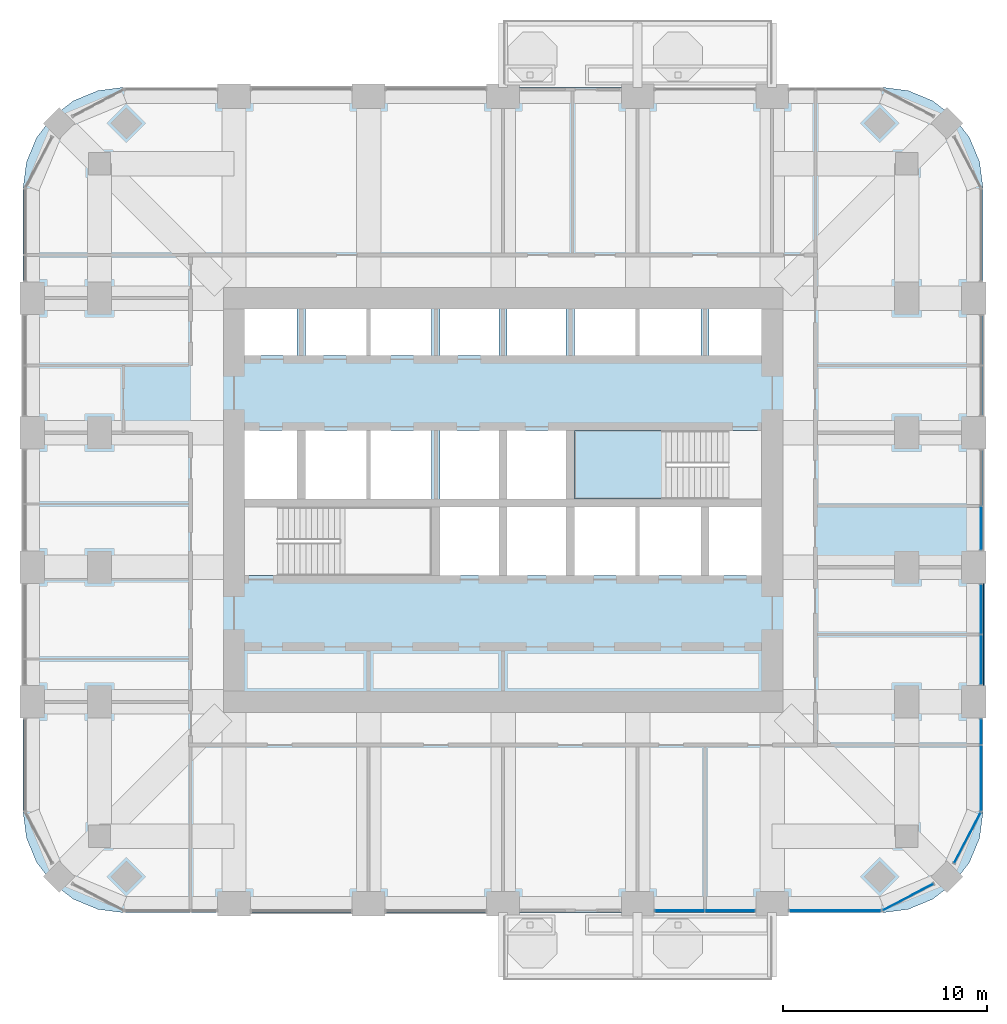
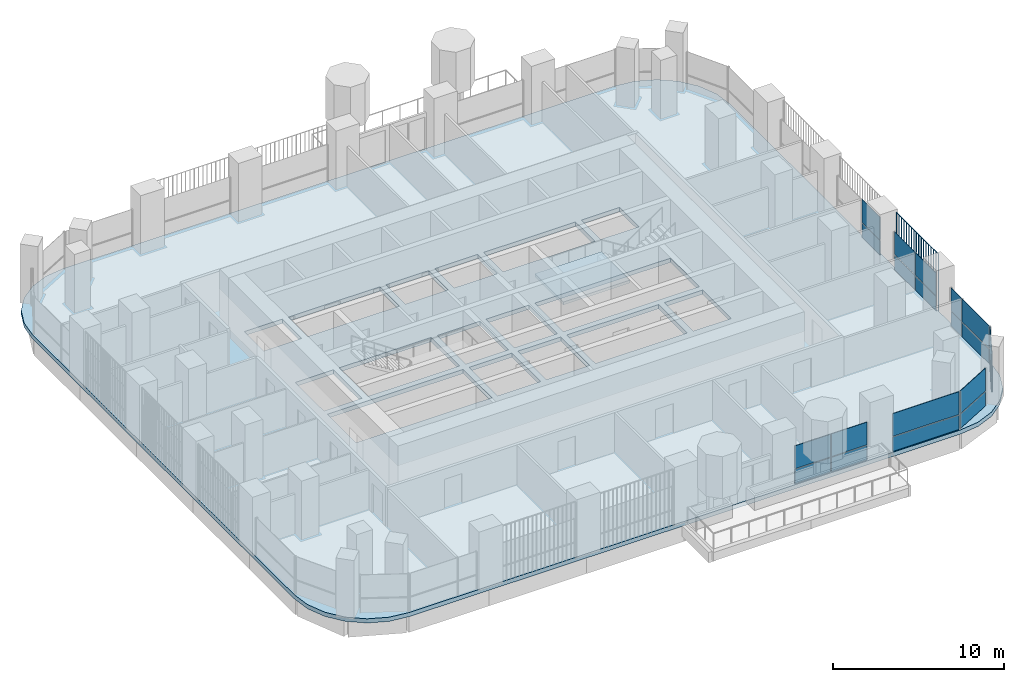
# One storey, part 10 of 20: 21 plates, 2 slabs, 8 elements without a shape of their own.
"""IFC4 building model written with IfcOpenShell, lengths in metres."""

from ifc_helpers import new_model, si_unit, direction, frame, origin, origin_2d, place, context, subcontext, project, spatial, polyline, rectangle, outline, extrude, material, layer, layer_set, type_object, element, aggregate, save


model = new_model("IFC4")

# Units and contexts
model_context = context("Model", 3, precision=1e-05, world=origin(), true_north=direction((0.0, 1.0)))
body_context = subcontext(model_context, "Body", "Model", "MODEL_VIEW")
ifc_project = project(units=[si_unit("LENGTHUNIT", "METRE"), si_unit("AREAUNIT", "SQUARE_METRE"), si_unit("VOLUMEUNIT", "CUBIC_METRE"), si_unit("PLANEANGLEUNIT", "RADIAN"), si_unit("MASSUNIT", "GRAM", prefix="KILO")], contexts=[model_context])

# Site, building, storey
site_placement = place(None, origin())
site = spatial("IfcSite", under=ifc_project, at=site_placement, CompositionType="ELEMENT")
building_placement = place(site_placement, origin())
building = spatial("IfcBuilding", under=site, at=building_placement, Name="Cobogo Forest Laboratory Tower", CompositionType="ELEMENT")
storey_placement = place(building_placement, frame((0.0, 0.0, 189.300048828125)))
storey = spatial("IfcBuildingStorey", under=building, at=storey_placement, Name="L43", CompositionType="ELEMENT", Elevation=189.300048828125)

# Slab
ifc_material_1 = material(Name="Concrete HA-40 (C40/50)", Category="concrete")
ifc_layer_1 = layer(ifc_material_1, 0.300048828125)
ifc_layer_set_1 = layer_set([ifc_layer_1], Name="Floor slab 300")
slab_type_1 = type_object("IfcSlabType", Name="Floor slab 300", PredefinedType="FLOOR", material=ifc_layer_set_1)
slab_1_placement = place(storey_placement, frame((0.0, 0.0, -0.300048828125)))
element("IfcSlab", 1, at=slab_1_placement, inside=storey, type_object=slab_type_1, Name="L43 floor slab", PredefinedType="FLOOR", context=body_context, shape_type="SweptSolid", body=[
    extrude(outline(polyline([(45.0, 2.85009765625), (46.28125, 3.0185546875), (47.47509765625, 3.51318359375), (48.500244140625, 4.2998046875), (49.286865234375, 5.324951171875), (49.78125, 6.518798828125), (49.949951171875, 7.800048828125), (49.949951171875, 38.39990234375), (49.78125, 39.68115234375), (49.286865234375, 40.875), (48.500244140625, 41.900146484375), (47.47509765625, 42.686767578125), (46.28125, 43.181396484375), (45.0, 43.35009765625), (7.800048828125, 43.35009765625), (6.518798828125, 43.181396484375), (5.324951171875, 42.686767578125), (4.2998046875, 41.900146484375), (3.51318359375, 40.875), (3.0185546875, 39.68115234375), (2.85009765625, 38.39990234375), (2.85009765625, 7.800048828125), (3.0185546875, 6.518798828125), (3.51318359375, 5.324951171875), (4.2998046875, 4.2998046875), (5.324951171875, 3.51318359375), (6.518798828125, 3.0185546875), (7.800048828125, 2.85009765625), (45.0, 2.85009765625)]), holes=[polyline([(22.89990234375, 19.39990234375), (13.72509765625, 19.39990234375), (13.72509765625, 22.75), (22.89990234375, 22.75), (22.89990234375, 19.39990234375)]), polyline([(26.199951171875, 19.39990234375), (23.300048828125, 19.39990234375), (23.300048828125, 22.75), (26.199951171875, 22.75), (26.199951171875, 19.39990234375)]), polyline([(29.5, 19.39990234375), (26.60009765625, 19.39990234375), (26.60009765625, 22.75), (29.5, 22.75), (29.5, 19.39990234375)]), polyline([(36.10009765625, 22.75), (36.10009765625, 19.39990234375), (29.89990234375, 19.39990234375), (29.89990234375, 22.75), (36.10009765625, 22.75)]), polyline([(36.5, 19.39990234375), (36.5, 22.75), (39.074951171875, 22.75), (39.074951171875, 19.39990234375), (36.5, 19.39990234375)]), polyline([(16.300048828125, 23.14990234375), (13.72509765625, 23.14990234375), (13.72509765625, 26.5), (16.300048828125, 26.5), (16.300048828125, 23.14990234375)]), polyline([(22.89990234375, 26.5), (22.89990234375, 23.14990234375), (16.699951171875, 23.14990234375), (16.699951171875, 26.5), (22.89990234375, 26.5)]), polyline([(26.199951171875, 23.14990234375), (23.300048828125, 23.14990234375), (23.300048828125, 26.5), (26.199951171875, 26.5), (26.199951171875, 23.14990234375)]), polyline([(26.60009765625, 23.14990234375), (26.60009765625, 26.5), (29.5, 26.5), (29.5, 23.14990234375), (26.60009765625, 23.14990234375)]), polyline([(39.074951171875, 23.14990234375), (29.89990234375, 23.14990234375), (29.89990234375, 26.5), (39.074951171875, 26.5), (39.074951171875, 23.14990234375)]), polyline([(16.300048828125, 30.199951171875), (13.72509765625, 30.199951171875), (13.72509765625, 32.47509765625), (16.300048828125, 32.47509765625), (16.300048828125, 30.199951171875)]), polyline([(22.89990234375, 32.47509765625), (22.89990234375, 30.199951171875), (16.699951171875, 30.199951171875), (16.699951171875, 32.47509765625), (22.89990234375, 32.47509765625)]), polyline([(23.300048828125, 30.199951171875), (23.300048828125, 32.47509765625), (26.199951171875, 32.47509765625), (26.199951171875, 30.199951171875), (23.300048828125, 30.199951171875)]), polyline([(29.5, 30.199951171875), (26.60009765625, 30.199951171875), (26.60009765625, 32.47509765625), (29.5, 32.47509765625), (29.5, 30.199951171875)]), polyline([(36.10009765625, 32.47509765625), (36.10009765625, 30.199951171875), (29.89990234375, 30.199951171875), (29.89990234375, 32.47509765625), (36.10009765625, 32.47509765625)]), polyline([(36.5, 30.199951171875), (36.5, 32.47509765625), (39.074951171875, 32.47509765625), (39.074951171875, 30.199951171875), (36.5, 30.199951171875)])]), origin(), (0.0, 0.0, 1.0), 0.300048828125),
])

# Curtain wall, plates
ifc_material_2 = material(Name="Aluminium curtain wall", Category="aluminium")
curtain_wall_type = type_object("IfcCurtainWallType", Name="CW-2 unitised curtain wall, solar control glazing, laboratory floors zones C and D", PredefinedType="USERDEFINED", material=ifc_material_2)
curtain_wall_1_placement = place(storey_placement, origin())
curtain_wall_1 = element("IfcCurtainWall", 2, at=curtain_wall_1_placement, inside=storey, type_object=curtain_wall_type, Name="Curtain wall 05 L43", ObjectType="UNITISED CURTAIN WALL", PredefinedType="USERDEFINED")
ifc_material_3 = material(Name="Solar control insulated glass", Category="glass")
ifc_layer_2 = layer(ifc_material_3, 0.031982421875)
ifc_layer_set_2 = layer_set([ifc_layer_2], Name="GP-2 solar control glass unit 32")
plate_type_1 = type_object("IfcPlateType", Name="GP-2 solar control glass unit 32", PredefinedType="CURTAIN_PANEL", material=ifc_layer_set_2)
plate_1_placement = place(storey_placement, frame((35.06494140625, 2.949951171875, 0.0), z_axis=(0.0, 0.0, 1.0), x_axis=(1.0, 0.0, 0.0)))
plate_1 = element("IfcPlate", 3, at=plate_1_placement, type_object=plate_type_1, Name="CW-2 panel 1.1", PredefinedType="CURTAIN_PANEL", context=body_context, shape_type="SweptSolid", body=[
    extrude(rectangle(XDim=2.409912109375, YDim=0.031982421875, at=origin_2d()), origin(), (0.0, 0.0, 1.0), 1.02001953125),
])
plate_2_placement = place(storey_placement, frame((35.06494140625, 2.949951171875, 1.079833984375), z_axis=(0.0, 0.0, 1.0), x_axis=(1.0, 0.0, 0.0)))
plate_2 = element("IfcPlate", 4, at=plate_2_placement, type_object=plate_type_1, Name="CW-2 panel 1.2", PredefinedType="CURTAIN_PANEL", context=body_context, shape_type="SweptSolid", body=[
    extrude(rectangle(XDim=2.409912109375, YDim=0.031982421875, at=origin_2d()), origin(), (0.0, 0.0, 1.0), 1.6201171875),
])
plate_3_placement = place(storey_placement, frame((37.534912109375, 2.949951171875, 0.0), z_axis=(0.0, 0.0, 1.0), x_axis=(1.0, 0.0, 0.0)))
plate_3 = element("IfcPlate", 5, at=plate_3_placement, type_object=plate_type_1, Name="CW-2 panel 2.1", PredefinedType="CURTAIN_PANEL", context=body_context, shape_type="SweptSolid", body=[
    extrude(rectangle(XDim=2.409912109375, YDim=0.031982421875, at=origin_2d()), origin(), (0.0, 0.0, 1.0), 1.02001953125),
])
plate_4_placement = place(storey_placement, frame((37.534912109375, 2.949951171875, 1.079833984375), z_axis=(0.0, 0.0, 1.0), x_axis=(1.0, 0.0, 0.0)))
plate_4 = element("IfcPlate", 6, at=plate_4_placement, type_object=plate_type_1, Name="CW-2 panel 2.2", PredefinedType="CURTAIN_PANEL", context=body_context, shape_type="SweptSolid", body=[
    extrude(rectangle(XDim=2.409912109375, YDim=0.031982421875, at=origin_2d()), origin(), (0.0, 0.0, 1.0), 1.6201171875),
])
aggregate(curtain_wall_1, [plate_1, plate_2, plate_3, plate_4])

curtain_wall_2_placement = place(storey_placement, origin())
curtain_wall_2 = element("IfcCurtainWall", 7, at=curtain_wall_2_placement, inside=storey, type_object=curtain_wall_type, Name="Curtain wall 06 L43", ObjectType="UNITISED CURTAIN WALL", PredefinedType="USERDEFINED")
plate_5_placement = place(storey_placement, frame((42.699951171875, 2.949951171875, 0.0), z_axis=(0.0, 0.0, 1.0), x_axis=(1.0, 0.0, 0.0)))
plate_5 = element("IfcPlate", 8, at=plate_5_placement, type_object=plate_type_1, Name="CW-2 panel 1.1", PredefinedType="CURTAIN_PANEL", context=body_context, shape_type="SweptSolid", body=[
    extrude(rectangle(XDim=4.47998046875, YDim=0.031982421875, at=origin_2d()), origin(), (0.0, 0.0, 1.0), 1.02001953125),
])
plate_6_placement = place(storey_placement, frame((42.699951171875, 2.949951171875, 1.079833984375), z_axis=(0.0, 0.0, 1.0), x_axis=(1.0, 0.0, 0.0)))
plate_6 = element("IfcPlate", 9, at=plate_6_placement, type_object=plate_type_1, Name="CW-2 panel 1.2", PredefinedType="CURTAIN_PANEL", context=body_context, shape_type="SweptSolid", body=[
    extrude(rectangle(XDim=4.47998046875, YDim=0.031982421875, at=origin_2d()), origin(), (0.0, 0.0, 1.0), 1.6201171875),
])
aggregate(curtain_wall_2, [plate_5, plate_6])

curtain_wall_3_placement = place(storey_placement, origin())
curtain_wall_3 = element("IfcCurtainWall", 10, at=curtain_wall_3_placement, inside=storey, type_object=curtain_wall_type, Name="Curtain wall 07 L43", ObjectType="UNITISED CURTAIN WALL", PredefinedType="USERDEFINED")
plate_7_placement = place(storey_placement, frame((46.275634765625, 3.61865234375, 0.0), z_axis=(0.0, 0.0, 1.0), x_axis=(0.885686484356, 0.464283804832, 0.0)))
plate_7 = element("IfcPlate", 11, at=plate_7_placement, type_object=plate_type_1, Name="CW-2 panel 1.1", PredefinedType="CURTAIN_PANEL", context=body_context, shape_type="SweptSolid", body=[
    extrude(rectangle(XDim=2.76025390625, YDim=0.031982421875, at=origin_2d()), origin(), (0.0, 0.0, 1.0), 1.02001953125),
])
plate_8_placement = place(storey_placement, frame((46.275634765625, 3.61865234375, 1.079833984375), z_axis=(0.0, 0.0, 1.0), x_axis=(0.885686484356, 0.464283804832, 0.0)))
plate_8 = element("IfcPlate", 12, at=plate_8_placement, type_object=plate_type_1, Name="CW-2 panel 1.2", PredefinedType="CURTAIN_PANEL", context=body_context, shape_type="SweptSolid", body=[
    extrude(rectangle(XDim=2.76025390625, YDim=0.031982421875, at=origin_2d()), origin(), (0.0, 0.0, 1.0), 1.6201171875),
])
aggregate(curtain_wall_3, [plate_7, plate_8])

curtain_wall_4_placement = place(storey_placement, origin())
curtain_wall_4 = element("IfcCurtainWall", 13, at=curtain_wall_4_placement, inside=storey, type_object=curtain_wall_type, Name="Curtain wall 08 L43", ObjectType="UNITISED CURTAIN WALL", PredefinedType="USERDEFINED")
plate_9_placement = place(storey_placement, frame((49.181396484375, 6.5244140625, 0.0), z_axis=(0.0, 0.0, 1.0), x_axis=(0.464283804832, 0.885686484356, 0.0)))
plate_9 = element("IfcPlate", 14, at=plate_9_placement, type_object=plate_type_1, Name="CW-2 panel 1.1", PredefinedType="CURTAIN_PANEL", context=body_context, shape_type="SweptSolid", body=[
    extrude(rectangle(XDim=2.76025390625, YDim=0.031982421875, at=origin_2d()), origin(), (0.0, 0.0, 1.0), 1.02001953125),
])
plate_10_placement = place(storey_placement, frame((49.181396484375, 6.5244140625, 1.079833984375), z_axis=(0.0, 0.0, 1.0), x_axis=(0.464283804832, 0.885686484356, 0.0)))
plate_10 = element("IfcPlate", 15, at=plate_10_placement, type_object=plate_type_1, Name="CW-2 panel 1.2", PredefinedType="CURTAIN_PANEL", context=body_context, shape_type="SweptSolid", body=[
    extrude(rectangle(XDim=2.76025390625, YDim=0.031982421875, at=origin_2d()), origin(), (0.0, 0.0, 1.0), 1.6201171875),
])
aggregate(curtain_wall_4, [plate_9, plate_10])

curtain_wall_5_placement = place(storey_placement, origin())
curtain_wall_5 = element("IfcCurtainWall", 16, at=curtain_wall_5_placement, inside=storey, type_object=curtain_wall_type, Name="Curtain wall 09 L43", ObjectType="UNITISED CURTAIN WALL", PredefinedType="USERDEFINED")
plate_11_placement = place(storey_placement, frame((49.85009765625, 9.452392578125, 0.0), z_axis=(0.0, 0.0, 1.0), x_axis=(0.0, 1.0, 0.0)))
plate_11 = element("IfcPlate", 17, at=plate_11_placement, type_object=plate_type_1, Name="CW-2 panel 1.1", PredefinedType="CURTAIN_PANEL", context=body_context, shape_type="SweptSolid", body=[
    extrude(rectangle(XDim=3.18505859375, YDim=0.031982421875, at=origin_2d()), origin(), (0.0, 0.0, 1.0), 1.02001953125),
])
plate_12_placement = place(storey_placement, frame((49.85009765625, 9.452392578125, 1.079833984375), z_axis=(0.0, 0.0, 1.0), x_axis=(0.0, 1.0, 0.0)))
plate_12 = element("IfcPlate", 18, at=plate_12_placement, type_object=plate_type_1, Name="CW-2 panel 1.2", PredefinedType="CURTAIN_PANEL", context=body_context, shape_type="SweptSolid", body=[
    extrude(rectangle(XDim=3.18505859375, YDim=0.031982421875, at=origin_2d()), origin(), (0.0, 0.0, 1.0), 1.6201171875),
])
plate_13_placement = place(storey_placement, frame((49.85009765625, 11.722412109375, 0.0), z_axis=(0.0, 0.0, 1.0), x_axis=(0.0, 1.0, 0.0)))
plate_13 = element("IfcPlate", 19, at=plate_13_placement, type_object=plate_type_1, Name="CW-2 panel 2.1", PredefinedType="CURTAIN_PANEL", context=body_context, shape_type="SweptSolid", body=[
    extrude(rectangle(XDim=1.235107421875, YDim=0.031982421875, at=origin_2d()), origin(), (0.0, 0.0, 1.0), 1.02001953125),
])
plate_14_placement = place(storey_placement, frame((49.85009765625, 11.722412109375, 1.079833984375), z_axis=(0.0, 0.0, 1.0), x_axis=(0.0, 1.0, 0.0)))
plate_14 = element("IfcPlate", 20, at=plate_14_placement, type_object=plate_type_1, Name="CW-2 panel 2.2", PredefinedType="CURTAIN_PANEL", context=body_context, shape_type="SweptSolid", body=[
    extrude(rectangle(XDim=1.235107421875, YDim=0.031982421875, at=origin_2d()), origin(), (0.0, 0.0, 1.0), 1.6201171875),
])
aggregate(curtain_wall_5, [plate_11, plate_12, plate_13, plate_14])

curtain_wall_6_placement = place(storey_placement, origin())
curtain_wall_6 = element("IfcCurtainWall", 21, at=curtain_wall_6_placement, inside=storey, type_object=curtain_wall_type, Name="Curtain wall 10 L43", ObjectType="UNITISED CURTAIN WALL", PredefinedType="USERDEFINED")
plate_15_placement = place(storey_placement, frame((49.85009765625, 15.264892578125, 0.0), z_axis=(0.0, 0.0, 1.0), x_axis=(0.0, 1.0, 0.0)))
plate_15 = element("IfcPlate", 22, at=plate_15_placement, type_object=plate_type_1, Name="CW-2 panel 1.1", PredefinedType="CURTAIN_PANEL", context=body_context, shape_type="SweptSolid", body=[
    extrude(rectangle(XDim=2.409912109375, YDim=0.031982421875, at=origin_2d()), origin(), (0.0, 0.0, 1.0), 1.02001953125),
])
plate_16_placement = place(storey_placement, frame((49.85009765625, 15.264892578125, 1.079833984375), z_axis=(0.0, 0.0, 1.0), x_axis=(0.0, 1.0, 0.0)))
plate_16 = element("IfcPlate", 23, at=plate_16_placement, type_object=plate_type_1, Name="CW-2 panel 1.2", PredefinedType="CURTAIN_PANEL", context=body_context, shape_type="SweptSolid", body=[
    extrude(rectangle(XDim=2.409912109375, YDim=0.031982421875, at=origin_2d()), origin(), (0.0, 0.0, 1.0), 1.6201171875),
])
plate_17_placement = place(storey_placement, frame((49.85009765625, 17.735107421875, 0.0), z_axis=(0.0, 0.0, 1.0), x_axis=(0.0, 1.0, 0.0)))
plate_17 = element("IfcPlate", 24, at=plate_17_placement, type_object=plate_type_1, Name="CW-2 panel 2.1", PredefinedType="CURTAIN_PANEL", context=body_context, shape_type="SweptSolid", body=[
    extrude(rectangle(XDim=2.409912109375, YDim=0.031982421875, at=origin_2d()), origin(), (0.0, 0.0, 1.0), 1.02001953125),
])
plate_18_placement = place(storey_placement, frame((49.85009765625, 17.735107421875, 1.079833984375), z_axis=(0.0, 0.0, 1.0), x_axis=(0.0, 1.0, 0.0)))
plate_18 = element("IfcPlate", 25, at=plate_18_placement, type_object=plate_type_1, Name="CW-2 panel 2.2", PredefinedType="CURTAIN_PANEL", context=body_context, shape_type="SweptSolid", body=[
    extrude(rectangle(XDim=2.409912109375, YDim=0.031982421875, at=origin_2d()), origin(), (0.0, 0.0, 1.0), 1.6201171875),
])
aggregate(curtain_wall_6, [plate_15, plate_16, plate_17, plate_18])

curtain_wall_7_placement = place(storey_placement, origin())
curtain_wall_7 = element("IfcCurtainWall", 26, at=curtain_wall_7_placement, inside=storey, type_object=curtain_wall_type, Name="Curtain wall 11 L43", ObjectType="UNITISED CURTAIN WALL", PredefinedType="USERDEFINED")
plate_19_placement = place(storey_placement, frame((49.85009765625, 21.715087890625, 0.0), z_axis=(0.0, 0.0, 1.0), x_axis=(0.0, 1.0, 0.0)))
plate_19 = element("IfcPlate", 27, at=plate_19_placement, type_object=plate_type_1, Name="CW-2 panel 1.1", PredefinedType="CURTAIN_PANEL", context=body_context, shape_type="SweptSolid", body=[
    extrude(rectangle(XDim=2.110107421875, YDim=0.031982421875, at=origin_2d()), origin(), (0.0, 0.0, 1.0), 1.02001953125),
])
plate_20_placement = place(storey_placement, frame((49.85009765625, 21.715087890625, 1.079833984375), z_axis=(0.0, 0.0, 1.0), x_axis=(0.0, 1.0, 0.0)))
plate_20 = element("IfcPlate", 28, at=plate_20_placement, type_object=plate_type_1, Name="CW-2 panel 1.2", PredefinedType="CURTAIN_PANEL", context=body_context, shape_type="SweptSolid", body=[
    extrude(rectangle(XDim=2.110107421875, YDim=0.031982421875, at=origin_2d()), origin(), (0.0, 0.0, 1.0), 1.6201171875),
])
aggregate(curtain_wall_7, [plate_19, plate_20])

# Stair, slab
ifc_material_4 = material(Name="Precast concrete HA-40 (C40/50)", Category="concrete")
stair_type = type_object("IfcStairType", Name="ST24 exit stair 24 risers", PredefinedType="HALF_TURN_STAIR", material=ifc_material_4)
stair_placement = place(storey_placement, origin())
stair = element("IfcStair", 29, at=stair_placement, inside=storey, type_object=stair_type, Name="Stair 2 L43 to L44", PredefinedType="HALF_TURN_STAIR")
ifc_layer_3 = layer(ifc_material_1, 0.199951171875)
ifc_layer_set_3 = layer_set([ifc_layer_3], Name="SL stair landing 200")
slab_type_2 = type_object("IfcSlabType", Name="SL stair landing 200", PredefinedType="LANDING", material=ifc_layer_set_3)
slab_2_placement = place(storey_placement, frame((0.0, 0.0, 1.89990234375)))
slab_2 = element("IfcSlab", 30, at=slab_2_placement, type_object=slab_type_2, Name="ST2 landing 2", PredefinedType="LANDING", context=body_context, shape_type="SweptSolid", body=[
    extrude(outline(polyline([(29.89990234375, 23.14990234375), (34.39697265625, 23.14990234375), (34.39697265625, 26.5), (29.89990234375, 26.5), (29.89990234375, 23.14990234375)])), origin(), (0.0, 0.0, 1.0), 0.199951171875),
])
aggregate(stair, [slab_2])

# Plate
ifc_material_5 = material(Name="Terracotta", Category="masonry")
plate_type_2 = type_object("IfcPlateType", Name="TB1 terracotta baguette screen", PredefinedType="USERDEFINED", material=ifc_material_5)
plate_21_placement = place(storey_placement, frame((49.977783203125, 14.03125, -0.150146484375)))
element("IfcPlate", 31, at=plate_21_placement, inside=storey, type_object=plate_type_2, Name="Baguette screen E1 L43", ObjectType="BAGUETTE SCREEN", PredefinedType="USERDEFINED", context=body_context, shape_type="SweptSolid", body=[
    extrude(outline(polyline([(0.02880859375, 0.011962890625), (0.011962890625, 0.02880859375), (-0.011962890625, 0.02880859375), (-0.02880859375, 0.011962890625), (-0.02880859375, -0.011962890625), (-0.011962890625, -0.02880859375), (0.011962890625, -0.02880859375), (0.02880859375, -0.011962890625), (0.02880859375, 0.011962890625)])), frame((0.0, 0.0, 4.168701171875), z_axis=(0.0, 1.0, 0.0), x_axis=(-1.0, 0.0, 0.0)), (0.0, 0.0, 1.0), 4.9375),
    extrude(outline(polyline([(0.02880859375, 0.011962890625), (0.011962890625, 0.02880859375), (-0.011962890625, 0.02880859375), (-0.02880859375, 0.011962890625), (-0.02880859375, -0.011962890625), (-0.011962890625, -0.02880859375), (0.011962890625, -0.02880859375), (0.02880859375, -0.011962890625), (0.02880859375, 0.011962890625)])), origin(), (0.0, 0.0, 1.0), 4.137451171875),
    extrude(outline(polyline([(0.02880859375, 0.011962890625), (0.011962890625, 0.02880859375), (-0.011962890625, 0.02880859375), (-0.02880859375, 0.011962890625), (-0.02880859375, -0.011962890625), (-0.011962890625, -0.02880859375), (0.011962890625, -0.02880859375), (0.02880859375, -0.011962890625), (0.02880859375, 0.011962890625)])), frame((0.0, 0.29052734375, 0.0)), (0.0, 0.0, 1.0), 4.137451171875),
    extrude(outline(polyline([(0.02880859375, 0.011962890625), (0.011962890625, 0.02880859375), (-0.011962890625, 0.02880859375), (-0.02880859375, 0.011962890625), (-0.02880859375, -0.011962890625), (-0.011962890625, -0.02880859375), (0.011962890625, -0.02880859375), (0.02880859375, -0.011962890625), (0.02880859375, 0.011962890625)])), frame((0.0, 0.580810546875, 0.0)), (0.0, 0.0, 1.0), 4.137451171875),
    extrude(outline(polyline([(0.02880859375, 0.011962890625), (0.011962890625, 0.02880859375), (-0.011962890625, 0.02880859375), (-0.02880859375, 0.011962890625), (-0.02880859375, -0.011962890625), (-0.011962890625, -0.02880859375), (0.011962890625, -0.02880859375), (0.02880859375, -0.011962890625), (0.02880859375, 0.011962890625)])), frame((0.0, 0.871337890625, 0.0)), (0.0, 0.0, 1.0), 4.137451171875),
    extrude(outline(polyline([(0.02880859375, 0.011962890625), (0.011962890625, 0.02880859375), (-0.011962890625, 0.02880859375), (-0.02880859375, 0.011962890625), (-0.02880859375, -0.011962890625), (-0.011962890625, -0.02880859375), (0.011962890625, -0.02880859375), (0.02880859375, -0.011962890625), (0.02880859375, 0.011962890625)])), frame((0.0, 1.161865234375, 0.0)), (0.0, 0.0, 1.0), 4.137451171875),
    extrude(outline(polyline([(0.02880859375, 0.011962890625), (0.011962890625, 0.02880859375), (-0.011962890625, 0.02880859375), (-0.02880859375, 0.011962890625), (-0.02880859375, -0.011962890625), (-0.011962890625, -0.02880859375), (0.011962890625, -0.02880859375), (0.02880859375, -0.011962890625), (0.02880859375, 0.011962890625)])), frame((0.0, 1.4521484375, 0.0)), (0.0, 0.0, 1.0), 4.137451171875),
    extrude(outline(polyline([(0.02880859375, 0.011962890625), (0.011962890625, 0.02880859375), (-0.011962890625, 0.02880859375), (-0.02880859375, 0.011962890625), (-0.02880859375, -0.011962890625), (-0.011962890625, -0.02880859375), (0.011962890625, -0.02880859375), (0.02880859375, -0.011962890625), (0.02880859375, 0.011962890625)])), frame((0.0, 1.74267578125, 0.0)), (0.0, 0.0, 1.0), 4.137451171875),
    extrude(outline(polyline([(0.02880859375, 0.011962890625), (0.011962890625, 0.02880859375), (-0.011962890625, 0.02880859375), (-0.02880859375, 0.011962890625), (-0.02880859375, -0.011962890625), (-0.011962890625, -0.02880859375), (0.011962890625, -0.02880859375), (0.02880859375, -0.011962890625), (0.02880859375, 0.011962890625)])), frame((0.0, 2.033203125, 0.0)), (0.0, 0.0, 1.0), 4.137451171875),
    extrude(outline(polyline([(0.02880859375, 0.011962890625), (0.011962890625, 0.02880859375), (-0.011962890625, 0.02880859375), (-0.02880859375, 0.011962890625), (-0.02880859375, -0.011962890625), (-0.011962890625, -0.02880859375), (0.011962890625, -0.02880859375), (0.02880859375, -0.011962890625), (0.02880859375, 0.011962890625)])), frame((0.0, 2.323486328125, 0.0)), (0.0, 0.0, 1.0), 4.137451171875),
    extrude(outline(polyline([(0.02880859375, 0.011962890625), (0.011962890625, 0.02880859375), (-0.011962890625, 0.02880859375), (-0.02880859375, 0.011962890625), (-0.02880859375, -0.011962890625), (-0.011962890625, -0.02880859375), (0.011962890625, -0.02880859375), (0.02880859375, -0.011962890625), (0.02880859375, 0.011962890625)])), frame((0.0, 2.614013671875, 0.0)), (0.0, 0.0, 1.0), 4.137451171875),
    extrude(outline(polyline([(0.02880859375, 0.011962890625), (0.011962890625, 0.02880859375), (-0.011962890625, 0.02880859375), (-0.02880859375, 0.011962890625), (-0.02880859375, -0.011962890625), (-0.011962890625, -0.02880859375), (0.011962890625, -0.02880859375), (0.02880859375, -0.011962890625), (0.02880859375, 0.011962890625)])), frame((0.0, 2.904296875, 0.0)), (0.0, 0.0, 1.0), 4.137451171875),
    extrude(outline(polyline([(0.02880859375, 0.011962890625), (0.011962890625, 0.02880859375), (-0.011962890625, 0.02880859375), (-0.02880859375, 0.011962890625), (-0.02880859375, -0.011962890625), (-0.011962890625, -0.02880859375), (0.011962890625, -0.02880859375), (0.02880859375, -0.011962890625), (0.02880859375, 0.011962890625)])), frame((0.0, 3.19482421875, 0.0)), (0.0, 0.0, 1.0), 4.137451171875),
    extrude(outline(polyline([(0.02880859375, 0.011962890625), (0.011962890625, 0.02880859375), (-0.011962890625, 0.02880859375), (-0.02880859375, 0.011962890625), (-0.02880859375, -0.011962890625), (-0.011962890625, -0.02880859375), (0.011962890625, -0.02880859375), (0.02880859375, -0.011962890625), (0.02880859375, 0.011962890625)])), frame((0.0, 3.4853515625, 0.0)), (0.0, 0.0, 1.0), 4.137451171875),
    extrude(outline(polyline([(0.02880859375, 0.011962890625), (0.011962890625, 0.02880859375), (-0.011962890625, 0.02880859375), (-0.02880859375, 0.011962890625), (-0.02880859375, -0.011962890625), (-0.011962890625, -0.02880859375), (0.011962890625, -0.02880859375), (0.02880859375, -0.011962890625), (0.02880859375, 0.011962890625)])), frame((0.0, 3.775634765625, 0.0)), (0.0, 0.0, 1.0), 4.137451171875),
    extrude(outline(polyline([(0.02880859375, 0.011962890625), (0.011962890625, 0.02880859375), (-0.011962890625, 0.02880859375), (-0.02880859375, 0.011962890625), (-0.02880859375, -0.011962890625), (-0.011962890625, -0.02880859375), (0.011962890625, -0.02880859375), (0.02880859375, -0.011962890625), (0.02880859375, 0.011962890625)])), frame((0.0, 4.066162109375, 0.0)), (0.0, 0.0, 1.0), 4.137451171875),
    extrude(outline(polyline([(0.02880859375, 0.011962890625), (0.011962890625, 0.02880859375), (-0.011962890625, 0.02880859375), (-0.02880859375, 0.011962890625), (-0.02880859375, -0.011962890625), (-0.011962890625, -0.02880859375), (0.011962890625, -0.02880859375), (0.02880859375, -0.011962890625), (0.02880859375, 0.011962890625)])), frame((0.0, 4.356689453125, 0.0)), (0.0, 0.0, 1.0), 4.137451171875),
    extrude(outline(polyline([(0.02880859375, 0.011962890625), (0.011962890625, 0.02880859375), (-0.011962890625, 0.02880859375), (-0.02880859375, 0.011962890625), (-0.02880859375, -0.011962890625), (-0.011962890625, -0.02880859375), (0.011962890625, -0.02880859375), (0.02880859375, -0.011962890625), (0.02880859375, 0.011962890625)])), frame((0.0, 4.64697265625, 0.0)), (0.0, 0.0, 1.0), 4.137451171875),
    extrude(outline(polyline([(0.02880859375, 0.011962890625), (0.011962890625, 0.02880859375), (-0.011962890625, 0.02880859375), (-0.02880859375, 0.011962890625), (-0.02880859375, -0.011962890625), (-0.011962890625, -0.02880859375), (0.011962890625, -0.02880859375), (0.02880859375, -0.011962890625), (0.02880859375, 0.011962890625)])), frame((0.0, 4.9375, 0.0)), (0.0, 0.0, 1.0), 4.137451171875),
])

save(model, "model.ifc")
